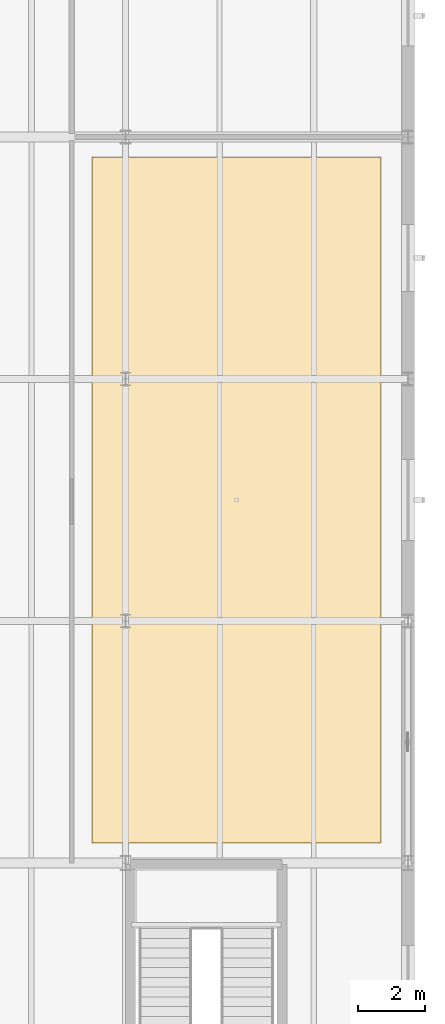
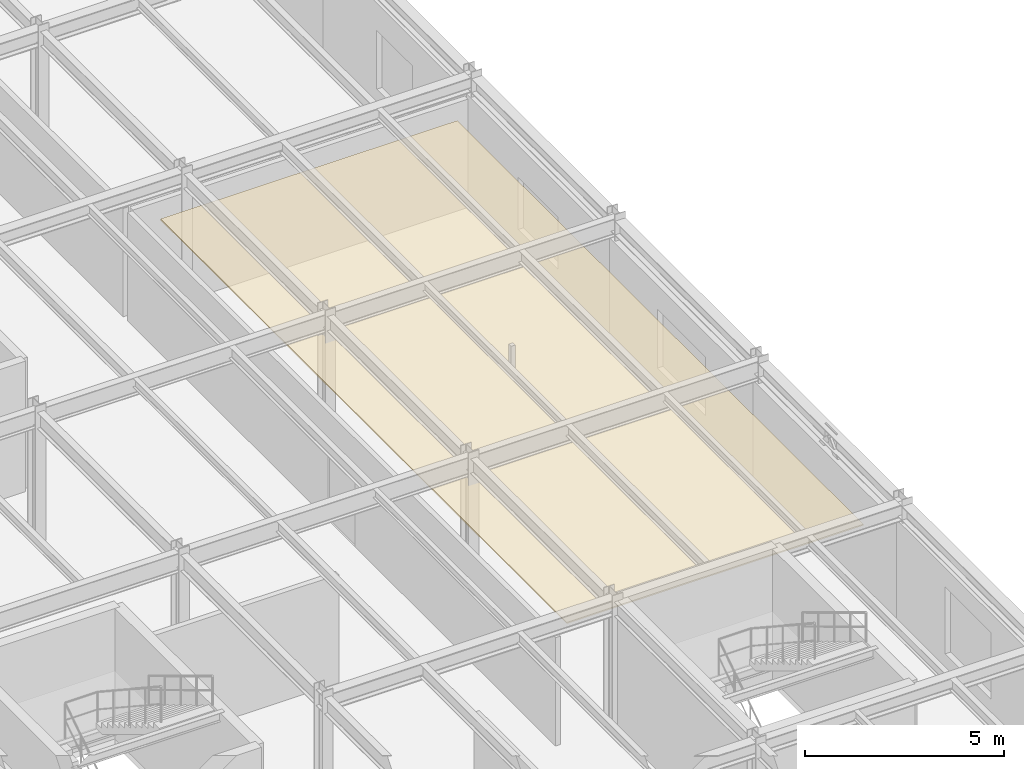
# One storey, part 99 of 109: 1 covering.
"""IFC4 building model written with IfcOpenShell, lengths in metres."""

from ifc_helpers import new_model, si_unit, derived_unit, direction, frame, origin, place, context, subcontext, project, spatial, polyline, outline, extrude, material, layer, layer_set, type_object, element, save


model = new_model("IFC4")

# Units and contexts
model_context = context("Model", 3, precision=1e-05, world=origin(), true_north=direction((0.0, 1.0)))
body_context = subcontext(model_context, "Body", "Model", "MODEL_VIEW")
ifc_project = project(units=[si_unit("LENGTHUNIT", "METRE"), si_unit("AREAUNIT", "SQUARE_METRE"), si_unit("VOLUMEUNIT", "CUBIC_METRE"), si_unit("PLANEANGLEUNIT", "RADIAN"), si_unit("MASSUNIT", "GRAM", prefix="KILO"), derived_unit("THERMALTRANSMITTANCEUNIT", [(si_unit("MASSUNIT", "GRAM", prefix="KILO"), 1), (si_unit("TIMEUNIT", "SECOND"), -3), (si_unit("THERMODYNAMICTEMPERATUREUNIT", "KELVIN"), -1)])], contexts=[model_context])

# Site, building, storey
site_placement = place(None, origin())
site = spatial("IfcSite", under=ifc_project, at=site_placement, CompositionType="ELEMENT")
building_placement = place(site_placement, origin())
building = spatial("IfcBuilding", under=site, at=building_placement, Name="Kharveza Railside Sports Centre", CompositionType="ELEMENT")
storey_placement = place(building_placement, frame((0.0, 0.0, 4.5)))
storey = spatial("IfcBuildingStorey", under=building, at=storey_placement, Name="L01", CompositionType="ELEMENT", Elevation=4.5)

# Covering
ifc_material = material(Name="Acoustic mineral-fibre ceiling tile")
ifc_layer = layer(ifc_material, 0.0400390625, Name="Acoustic mineral-fibre ceiling tile")
ifc_layer_set = layer_set([ifc_layer], Name="Acoustic mineral-fibre ceiling tile")
covering_type = type_object("IfcCoveringType", Name="CV-CL01", PredefinedType="CEILING", material=ifc_layer_set)
covering_placement = place(storey_placement, frame((0.0, 0.0, 3.14990234375)))
element("IfcCovering", 1, at=covering_placement, inside=storey, type_object=covering_type, Name="COV-CL-REHB", PredefinedType="CEILING", context=body_context, shape_type="SweptSolid", body=[
    extrude(outline(polyline([(167.199951171875, 22.199951171875), (158.60009765625, 22.199951171875), (158.60009765625, 42.60009765625), (167.199951171875, 42.60009765625), (167.199951171875, 22.199951171875)])), origin(), (0.0, 0.0, 1.0), 0.0400390625),
])

save(model, "model.ifc")
